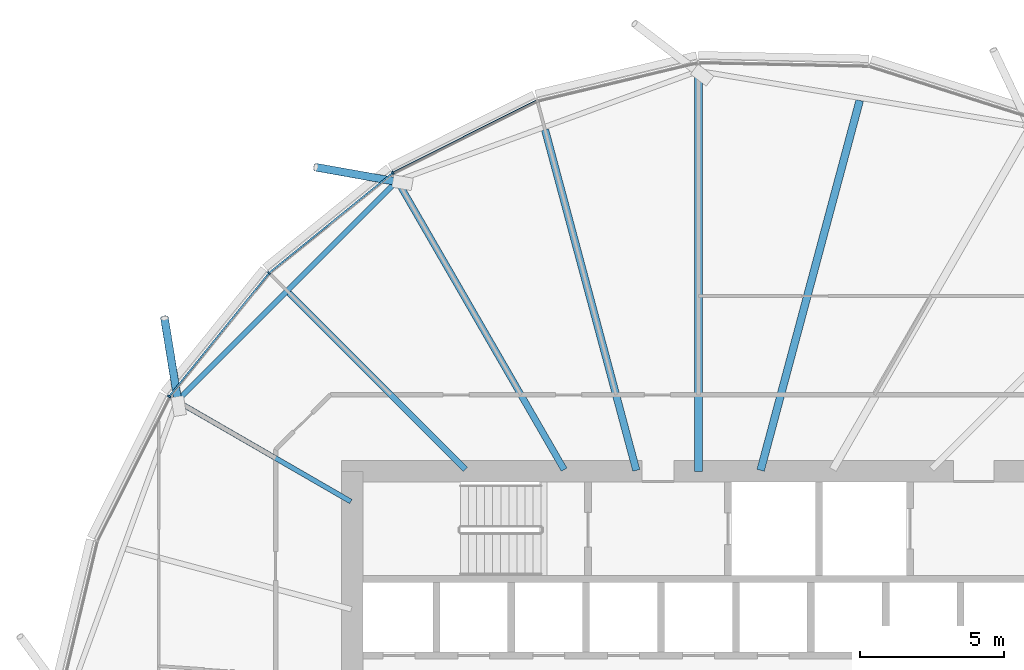
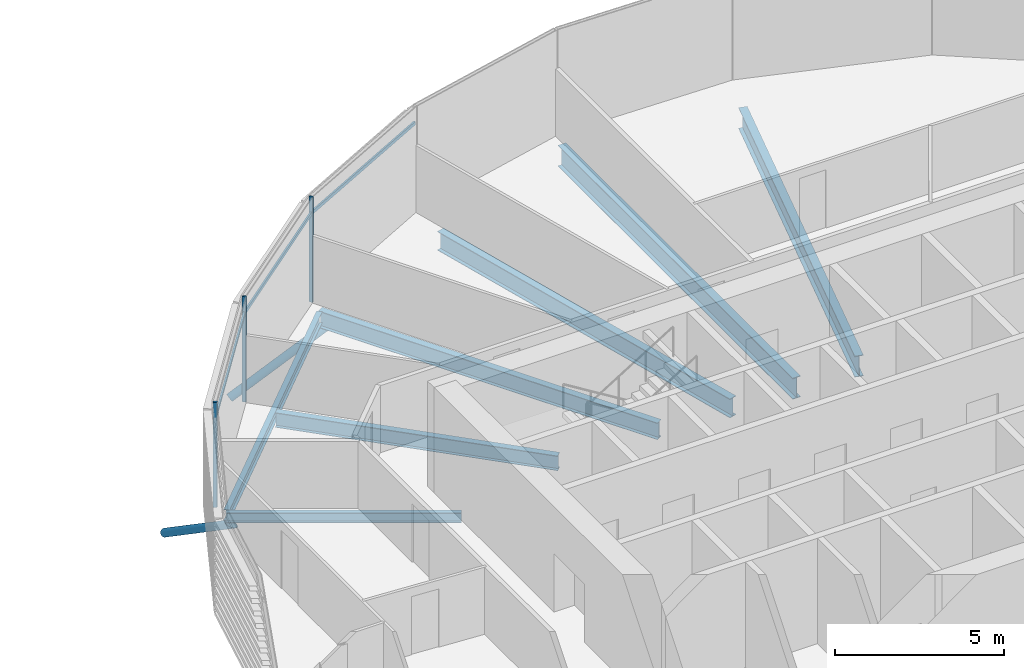
# One storey, part 16 of 39: 8 members, 7 beams, 1 element without a shape of its own.
"""IFC4 building model written with IfcOpenShell, lengths in metres."""

from ifc_helpers import new_model, si_unit, direction, frame, origin, origin_2d, place, context, subcontext, project, spatial, rectangle, hollow_circle, i_section, extrude, clip, halfspace, material, material_profile, profile_set, type_object, element, aggregate, save


model = new_model("IFC4")

# Units and contexts
model_context = context("Model", 3, precision=1e-05, world=origin(), true_north=direction((0.0, 1.0)))
body_context = subcontext(model_context, "Body", "Model", "MODEL_VIEW")
ifc_project = project(units=[si_unit("LENGTHUNIT", "METRE"), si_unit("AREAUNIT", "SQUARE_METRE"), si_unit("VOLUMEUNIT", "CUBIC_METRE"), si_unit("PLANEANGLEUNIT", "RADIAN"), si_unit("MASSUNIT", "GRAM", prefix="KILO")], contexts=[model_context])

# Site, building, storey
site_placement = place(None, origin())
site = spatial("IfcSite", under=ifc_project, at=site_placement, CompositionType="ELEMENT")
building_placement = place(site_placement, origin())
building = spatial("IfcBuilding", under=site, at=building_placement, Name="Rimbun Link Towers", CompositionType="ELEMENT")
storey_placement = place(building_placement, frame((0.0, 0.0, 100.60009765625)))
storey = spatial("IfcBuildingStorey", under=building, at=storey_placement, Name="L24", CompositionType="ELEMENT", Elevation=100.60009765625)

# Curtain wall, members
ifc_material_1 = material(Name="Aluminium 6063-T6 and low-iron glass", Category="aluminium")
curtain_wall_type = type_object("IfcCurtainWallType", Name="CW1-Z2 unitised vision wall (zone 2)", PredefinedType="NOTDEFINED", material=ifc_material_1)
curtain_wall_placement = place(storey_placement, origin())
curtain_wall = element("IfcCurtainWall", 1, at=curtain_wall_placement, inside=storey, type_object=curtain_wall_type, Name="CW1 L24 T2", PredefinedType="NOTDEFINED")
ifc_material_2 = material(Name="Aluminium 6063-T6", Category="aluminium")
ifc_material_profile_1 = material_profile(ifc_material_2, rectangle(XDim=0.1201171875, YDim=0.06005859375, at=origin_2d()), Name="MULLION 60X120")
ifc_profile_set_1 = profile_set([ifc_material_profile_1], Name="Aluminium 6063-T6")
member_type_1 = type_object("IfcMemberType", Name="CW1 mullion 60X120", PredefinedType="MULLION", material=ifc_profile_set_1)
member_1_placement = place(storey_placement, frame((21.156982421875, 18.341796875, 0.0), z_axis=(0.0, 0.0, 1.0), x_axis=(-0.542099967975, 0.840314003645, 0.0)))
member_1 = element("IfcMember", 2, at=member_1_placement, type_object=member_type_1, Name="CW1 mullion", PredefinedType="MULLION", context=body_context, shape_type="SweptSolid", body=[
    extrude(rectangle(XDim=0.1201171875, YDim=0.06005859375, at=origin_2d()), origin(), (0.0, 0.0, 1.0), 3.7998046875),
])
member_2_placement = place(storey_placement, frame((16.87451171875, 14.87548828125, 0.0), z_axis=(0.0, 0.0, 1.0), x_axis=(-0.707106781187, 0.707106781187, 0.0)))
member_2 = element("IfcMember", 3, at=member_2_placement, type_object=member_type_1, Name="CW1 mullion", PredefinedType="MULLION", context=body_context, shape_type="SweptSolid", body=[
    extrude(rectangle(XDim=0.1201171875, YDim=0.06005859375, at=origin_2d()), origin(), (0.0, 0.0, 1.0), 3.7998046875),
])
member_3_placement = place(storey_placement, frame((13.408203125, 10.593017578125, 0.0), z_axis=(0.0, 0.0, 1.0), x_axis=(-0.840314003645, 0.542099967975, 0.0)))
member_3 = element("IfcMember", 4, at=member_3_placement, type_object=member_type_1, Name="CW1 mullion", PredefinedType="MULLION", context=body_context, shape_type="SweptSolid", body=[
    extrude(rectangle(XDim=0.1201171875, YDim=0.06005859375, at=origin_2d()), origin(), (0.0, 0.0, 1.0), 3.7998046875),
])
ifc_material_3 = material(Name="Aluminium 6063-T6", Category="aluminium")
ifc_material_profile_2 = material_profile(ifc_material_3, rectangle(XDim=0.06005859375, YDim=0.1201171875, at=origin_2d()), Name="TRANSOM 60X120")
ifc_profile_set_2 = profile_set([ifc_material_profile_2], Name="Aluminium 6063-T6")
member_type_2 = type_object("IfcMemberType", Name="CW1 transom 60X120", PredefinedType="USERDEFINED", material=ifc_profile_set_2)
member_4_placement = place(storey_placement, frame((21.190185546875, 18.356689453125, 3.199951171875), z_axis=(0.893647675538, 0.448769241377, 0.0), x_axis=(-0.448769241377, 0.893647675538, 0.0)))
member_4 = element("IfcMember", 5, at=member_4_placement, type_object=member_type_2, Name="CW1 transom", ObjectType="TRANSOM", PredefinedType="USERDEFINED", context=body_context, shape_type="SweptSolid", body=[
    extrude(rectangle(XDim=0.06005859375, YDim=0.1201171875, at=origin_2d()), origin(), (0.0, 0.0, 1.0), 5.521728515625),
])
member_5_placement = place(storey_placement, frame((16.90380859375, 14.89697265625, 3.199951171875), z_axis=(0.777267876525, 0.629169808654, 0.0), x_axis=(-0.629169808654, 0.777267876525, 0.0)))
member_5 = element("IfcMember", 6, at=member_5_placement, type_object=member_type_2, Name="CW1 transom", ObjectType="TRANSOM", PredefinedType="USERDEFINED", context=body_context, shape_type="SweptSolid", body=[
    extrude(rectangle(XDim=0.06005859375, YDim=0.1201171875, at=origin_2d()), origin(), (0.0, 0.0, 1.0), 5.436767578125),
])
member_6_placement = place(storey_placement, frame((13.432373046875, 10.620361328125, 3.199951171875), z_axis=(0.629169808654, 0.777267876525, 0.0), x_axis=(-0.777267876525, 0.629169808654, 0.0)))
member_6 = element("IfcMember", 7, at=member_6_placement, type_object=member_type_2, Name="CW1 transom", ObjectType="TRANSOM", PredefinedType="USERDEFINED", context=body_context, shape_type="SweptSolid", body=[
    extrude(rectangle(XDim=0.06005859375, YDim=0.1201171875, at=origin_2d()), origin(), (0.0, 0.0, 1.0), 5.436767578125),
])
aggregate(curtain_wall, [member_1, member_2, member_3, member_4, member_5, member_6])

# Members
ifc_material_4 = material(Name="Steel S355J2H", Category="steel")
ifc_material_profile_3 = material_profile(ifc_material_4, hollow_circle(Radius=0.136474609375, WallThickness=0.012451171875, at=origin_2d()), Name="CHS 273x12.5")
ifc_profile_set_3 = profile_set([ifc_material_profile_3], Name="Steel S355J2H")
member_type_3 = type_object("IfcMemberType", Name="Floor edge link CHS 273x12.5", PredefinedType="BRACE", material=ifc_profile_set_3)
member_7_placement = place(storey_placement, frame((21.341064453125, 18.02880859375, -0.87939453125), z_axis=(-0.839856534277, 0.149897536861, -0.521700805323), x_axis=(-0.175703347788, -0.984443159139, 0.0)))
element("IfcMember", 8, at=member_7_placement, inside=storey, type_object=member_type_3, Name="Floor edge link T2 L24 05", PredefinedType="BRACE", context=body_context, shape_type="Clipping", body=[
    clip(extrude(hollow_circle(Radius=0.136474609375, WallThickness=0.012451171875, at=origin_2d()), frame((0.0, 0.0, -0.465576171875)), (0.0, 0.0, 1.0), 3.86962890625), halfspace(frame((0.0, 0.0, -0.219970703125), z_axis=(0.0, 0.853128518879, -0.521700805323)), False)),
])
member_8_placement = place(storey_placement, frame((13.72119140625, 10.408935546875, -0.630126953125), z_axis=(-0.134922737918, 0.830663863986, -0.540179044263), x_axis=(-0.9870640462, -0.16032644417, 0.0)))
element("IfcMember", 9, at=member_8_placement, inside=storey, type_object=member_type_3, Name="Floor edge link T2 L24 07", PredefinedType="BRACE", context=body_context, shape_type="Clipping", body=[
    clip(extrude(hollow_circle(Radius=0.136474609375, WallThickness=0.012451171875, at=origin_2d()), frame((0.0, 0.0, -0.44384765625)), (0.0, 0.0, 1.0), 3.945068359375), halfspace(frame((0.0, 0.0, -0.209228515625), z_axis=(0.0, 0.841550117426, -0.540179044263)), False)),
])

# Beams
ifc_material_5 = material(Name="Steel S355J2", Category="steel")
ifc_material_profile_4 = material_profile(ifc_material_5, i_section(OverallWidth=0.17138671875, OverallDepth=0.35498046875, WebThickness=0.00732421875, FlangeThickness=0.011474609375, at=origin_2d()), Name="UB 356x171x51")
ifc_profile_set_4 = profile_set([ifc_material_profile_4], Name="Steel S355J2")
beam_type_1 = type_object("IfcBeamType", Name="UB 356x171x51", PredefinedType="BEAM", material=ifc_profile_set_4)
beam_1_placement = place(storey_placement, frame((19.706298828125, 6.95361328125, -0.337646484375), z_axis=(-0.866039570911, 0.499975461013, 0.0), x_axis=(-0.499975461013, -0.866039570911, 0.0)))
element("IfcBeam", 10, at=beam_1_placement, inside=storey, type_object=beam_type_1, Name="Radial beam T2 L24 07", PredefinedType="BEAM", context=body_context, shape_type="SweptSolid", body=[
    extrude(i_section(OverallWidth=0.17138671875, OverallDepth=0.35498046875, WebThickness=0.00732421875, FlangeThickness=0.011474609375, at=origin_2d()), origin(), (0.0, 0.0, 1.0), 6.960693359375),
])
ifc_material_6 = material(Name="Steel S355J2", Category="steel")
ifc_material_profile_5 = material_profile(ifc_material_6, i_section(OverallWidth=0.177978515625, OverallDepth=0.406494140625, WebThickness=0.0078125, FlangeThickness=0.0126953125, at=origin_2d()), Name="UB 406x178x60")
ifc_profile_set_5 = profile_set([ifc_material_profile_5], Name="Steel S355J2")
beam_type_2 = type_object("IfcBeamType", Name="UB 406x178x60", PredefinedType="BEAM", material=ifc_profile_set_5)
beam_2_placement = place(storey_placement, frame((21.23193359375, 17.988037109375, -0.36328125), z_axis=(-0.707095257752, -0.707118304434, 0.0), x_axis=(0.707118304434, -0.707095257752, 0.0)))
element("IfcBeam", 11, at=beam_2_placement, inside=storey, type_object=beam_type_2, Name="Edge beam T2 L24 05-07", PredefinedType="BEAM", context=body_context, shape_type="SweptSolid", body=[
    extrude(i_section(OverallWidth=0.177978515625, OverallDepth=0.406494140625, WebThickness=0.0078125, FlangeThickness=0.0126953125, at=origin_2d()), origin(), (0.0, 0.0, 1.0), 10.59326171875),
])
ifc_material_7 = material(Name="Steel S355J2", Category="steel")
ifc_material_profile_6 = material_profile(ifc_material_7, i_section(OverallWidth=0.209228515625, OverallDepth=0.533203125, WebThickness=0.010009765625, FlangeThickness=0.015625, at=origin_2d()), Name="UB 533x210x92")
ifc_profile_set_6 = profile_set([ifc_material_profile_6], Name="Steel S355J2")
beam_type_3 = type_object("IfcBeamType", Name="UB 533x210x92", PredefinedType="BEAM", material=ifc_profile_set_6)
beam_3_placement = place(storey_placement, frame((23.67529296875, 8.07470703125, -0.426513671875), z_axis=(-0.707106781187, 0.707106781187, 0.0), x_axis=(-0.707106781187, -0.707106781187, 0.0)))
element("IfcBeam", 12, at=beam_3_placement, inside=storey, type_object=beam_type_3, Name="Radial beam T2 L24 06", PredefinedType="BEAM", context=body_context, shape_type="SweptSolid", body=[
    extrude(i_section(OverallWidth=0.209228515625, OverallDepth=0.533203125, WebThickness=0.010009765625, FlangeThickness=0.015625, at=origin_2d()), origin(), (0.0, 0.0, 1.0), 8.6474609375),
])
ifc_material_8 = material(Name="Steel S355J2", Category="steel")
ifc_material_profile_7 = material_profile(ifc_material_8, i_section(OverallWidth=0.2275390625, OverallDepth=0.6025390625, WebThickness=0.010498046875, FlangeThickness=0.014892578125, at=origin_2d()), Name="UB 610x229x101")
ifc_profile_set_7 = profile_set([ifc_material_profile_7], Name="Steel S355J2")
beam_type_4 = type_object("IfcBeamType", Name="UB 610x229x101", PredefinedType="BEAM", material=ifc_profile_set_7)
beam_4_placement = place(storey_placement, frame((27.097900390625, 8.057861328125, -0.46142578125), z_axis=(-0.500003905814, 0.86602314875, 0.0), x_axis=(-0.86602314875, -0.500003905814, 0.0)))
element("IfcBeam", 13, at=beam_4_placement, inside=storey, type_object=beam_type_4, Name="Radial beam T2 L24 05", PredefinedType="BEAM", context=body_context, shape_type="SweptSolid", body=[
    extrude(i_section(OverallWidth=0.2275390625, OverallDepth=0.6025390625, WebThickness=0.010498046875, FlangeThickness=0.014892578125, at=origin_2d()), origin(), (0.0, 0.0, 1.0), 11.5634765625),
])
ifc_material_9 = material(Name="Steel S355J2", Category="steel")
ifc_material_profile_8 = material_profile(ifc_material_9, i_section(OverallWidth=0.253662109375, OverallDepth=0.68359375, WebThickness=0.012451171875, FlangeThickness=0.01904296875, at=origin_2d()), Name="UB 686x254x140")
ifc_profile_set_8 = profile_set([ifc_material_profile_8], Name="Steel S355J2")
beam_type_5 = type_object("IfcBeamType", Name="UB 686x254x140", PredefinedType="BEAM", material=ifc_profile_set_8)
beam_5_placement = place(storey_placement, frame((29.597412109375, 8.03369140625, -0.501953125), z_axis=(-0.258823610988, 0.965924602852, 0.0), x_axis=(-0.965924602852, -0.258823610988, 0.0)))
element("IfcBeam", 14, at=beam_5_placement, inside=storey, type_object=beam_type_5, Name="Radial beam T2 L24 04", PredefinedType="BEAM", context=body_context, shape_type="SweptSolid", body=[
    extrude(i_section(OverallWidth=0.253662109375, OverallDepth=0.68359375, WebThickness=0.012451171875, FlangeThickness=0.01904296875, at=origin_2d()), origin(), (0.0, 0.0, 1.0), 12.222900390625),
])
ifc_material_10 = material(Name="Steel S355J2", Category="steel")
ifc_material_profile_9 = material_profile(ifc_material_10, i_section(OverallWidth=0.2666015625, OverallDepth=0.76220703125, WebThickness=0.014404296875, FlangeThickness=0.021484375, at=origin_2d()), Name="UB 762x267x173")
ifc_profile_set_9 = profile_set([ifc_material_profile_9], Name="Steel S355J2")
beam_type_6 = type_object("IfcBeamType", Name="UB 762x267x173", PredefinedType="BEAM", material=ifc_profile_set_9)
beam_6_placement = place(storey_placement, frame((33.903076171875, 8.035400390625, -0.541259765625), z_axis=(0.258820400429, 0.965925463129, 0.0), x_axis=(-0.965925463129, 0.258820400429, 0.0)))
element("IfcBeam", 15, at=beam_6_placement, inside=storey, type_object=beam_type_6, Name="Radial beam T2 L24 02", PredefinedType="BEAM", context=body_context, shape_type="SweptSolid", body=[
    extrude(i_section(OverallWidth=0.2666015625, OverallDepth=0.76220703125, WebThickness=0.014404296875, FlangeThickness=0.021484375, at=origin_2d()), origin(), (0.0, 0.0, 1.0), 13.267333984375),
])
beam_7_placement = place(storey_placement, frame((31.75, 8.0009765625, -0.541259765625), z_axis=(0.0, 1.0, 0.0), x_axis=(-1.0, 0.0, 0.0)))
element("IfcBeam", 16, at=beam_7_placement, inside=storey, type_object=beam_type_6, Name="Radial beam T2 L24 03", PredefinedType="BEAM", context=body_context, shape_type="SweptSolid", body=[
    extrude(i_section(OverallWidth=0.2666015625, OverallDepth=0.76220703125, WebThickness=0.014404296875, FlangeThickness=0.021484375, at=origin_2d()), origin(), (0.0, 0.0, 1.0), 13.870849609375),
])

save(model, "model.ifc")
